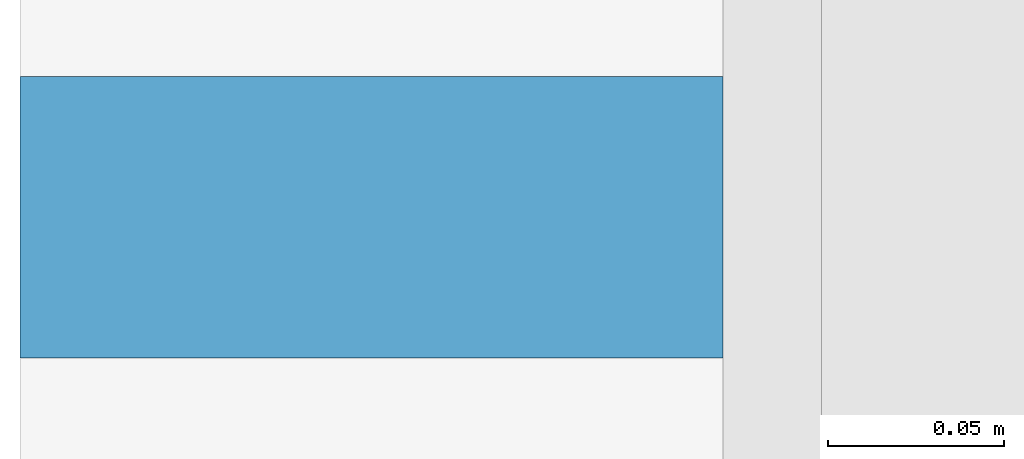
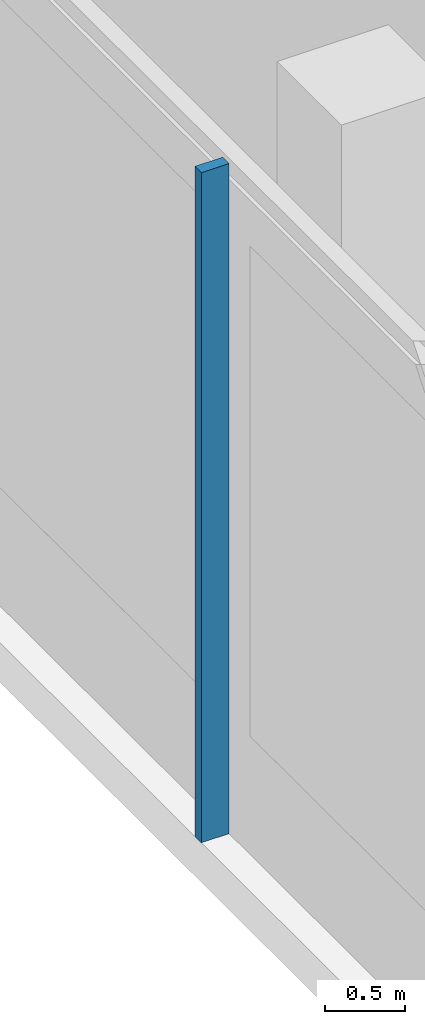
# One storey, part 7 of 39: 1 member, 1 element without a shape of its own.
"""IFC4 building model written with IfcOpenShell, lengths in metres."""

from ifc_helpers import new_model, si_unit, direction, frame, origin, origin_2d, place, context, subcontext, project, spatial, rectangle, extrude, material, material_profile, profile_set, type_object, element, aggregate, save


model = new_model("IFC4")

# Units and contexts
model_context = context("Model", 3, precision=1e-05, world=origin(), true_north=direction((0.0, 1.0)))
body_context = subcontext(model_context, "Body", "Model", "MODEL_VIEW")
ifc_project = project(units=[si_unit("LENGTHUNIT", "METRE"), si_unit("AREAUNIT", "SQUARE_METRE"), si_unit("VOLUMEUNIT", "CUBIC_METRE"), si_unit("PLANEANGLEUNIT", "RADIAN"), si_unit("MASSUNIT", "GRAM", prefix="KILO")], contexts=[model_context])

# Site, building, storey
site_placement = place(None, origin())
site = spatial("IfcSite", under=ifc_project, at=site_placement, CompositionType="ELEMENT")
building_placement = place(site_placement, origin())
building = spatial("IfcBuilding", under=site, at=building_placement, Name="Saffron Gate Tower", CompositionType="ELEMENT")
storey_placement = place(building_placement, frame((0.0, 0.0, 9.0)))
storey = spatial("IfcBuildingStorey", under=building, at=storey_placement, Name="L01", CompositionType="ELEMENT", Elevation=9.0)

# Curtain wall, member
ifc_material = material(Name="Aluminium, bronze anodised", Category="aluminium")
curtain_wall_type = type_object("IfcCurtainWallType", Name="CWS5 curtain wall podium ring base", PredefinedType="NOTDEFINED", material=ifc_material)
curtain_wall_placement = place(storey_placement, origin())
curtain_wall = element("IfcCurtainWall", 1, at=curtain_wall_placement, inside=storey, type_object=curtain_wall_type, Name="CWS5 run 4", PredefinedType="NOTDEFINED")
ifc_material_profile = material_profile(ifc_material, rectangle(XDim=0.199951171875, YDim=0.080078125, at=origin_2d()))
ifc_profile_set = profile_set([ifc_material_profile], Name="Aluminium, bronze anodised")
member_type = type_object("IfcMemberType", Name="CWS5 mullion 80x200", PredefinedType="MULLION", material=ifc_profile_set)
member_placement = place(storey_placement, frame((31.89990234375, 48.60009765625, 0.0), z_axis=(0.0, 0.0, 1.0), x_axis=(1.0, 0.0, 0.0)))
member = element("IfcMember", 2, at=member_placement, type_object=member_type, Name="CWS5 mullion 6", PredefinedType="MULLION", context=body_context, shape_type="SweptSolid", body=[
    extrude(rectangle(XDim=0.199951171875, YDim=0.080078125, at=origin_2d()), origin(), (0.0, 0.0, 1.0), 5.10009765625),
])
aggregate(curtain_wall, [member])

save(model, "model.ifc")
